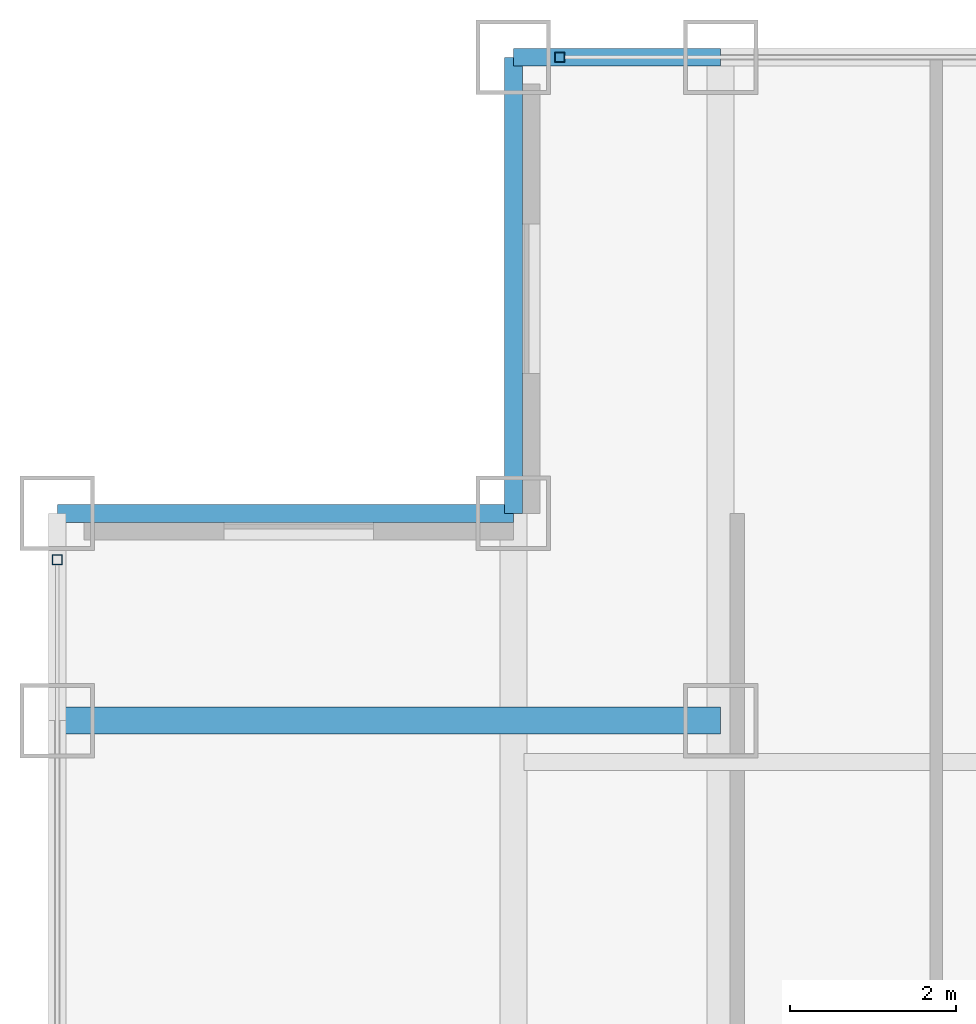
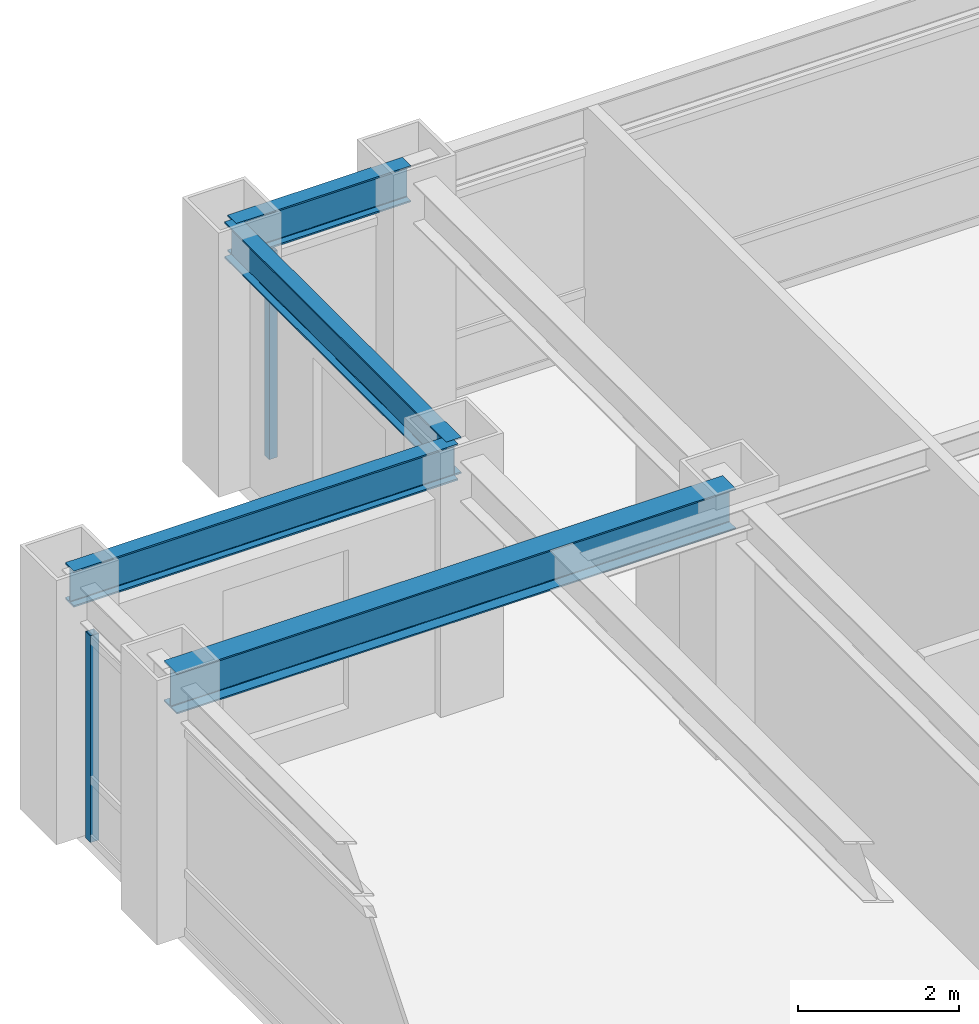
# One storey, part 12 of 22: 4 beams, 2 members, 2 elements without a shape of their own.
"""IFC4 building model written with IfcOpenShell, lengths in metres."""

from ifc_helpers import new_model, si_unit, direction, frame, origin, origin_2d, place, context, subcontext, project, spatial, hollow_rectangle, i_section, extrude, source, transform, mapped, material, material_profile, profile_set, type_object, element, aggregate, save


model = new_model("IFC4")

# Units and contexts
model_context = context("Model", 3, precision=1e-05, world=origin(), true_north=direction((0.0, 1.0)))
body_context = subcontext(model_context, "Body", "Model", "MODEL_VIEW")
ifc_project = project(units=[si_unit("LENGTHUNIT", "METRE"), si_unit("AREAUNIT", "SQUARE_METRE"), si_unit("VOLUMEUNIT", "CUBIC_METRE"), si_unit("PLANEANGLEUNIT", "RADIAN"), si_unit("MASSUNIT", "GRAM", prefix="KILO")], contexts=[model_context])

# Site, building, storey
site_placement = place(None, origin())
site = spatial("IfcSite", under=ifc_project, at=site_placement, CompositionType="ELEMENT")
building_placement = place(site_placement, origin())
building = spatial("IfcBuilding", under=site, at=building_placement, Name="Khorayat Bourse Tower", CompositionType="ELEMENT")
storey_placement = place(building_placement, frame((0.0, 0.0, 289.5)))
storey = spatial("IfcBuildingStorey", under=building, at=storey_placement, Name="L68", CompositionType="ELEMENT", Elevation=289.5)

# Beams
ifc_material_1 = material(Name="Steel ASTM A992 Grade 50", Category="steel")
ifc_material_profile_1 = material_profile(ifc_material_1, i_section(OverallWidth=0.324951171875, OverallDepth=0.615966796875, WebThickness=0.013916015625, FlangeThickness=0.021484375, FilletRadius=0.01611328125, at=origin_2d()), Name="W610X174")
ifc_profile_set_1 = profile_set([ifc_material_profile_1], Name="Steel ASTM A992 Grade 50")
beam_type_1 = type_object("IfcBeamType", Name="BM-GIRD-610", PredefinedType="BEAM", material=ifc_profile_set_1)
shared_shape_1 = source(origin(), body_context, "Body", "SweptSolid", [
    extrude(i_section(OverallWidth=0.324951171875, OverallDepth=0.615966796875, WebThickness=0.013916015625, FlangeThickness=0.021484375, FilletRadius=0.01611328125, at=origin_2d()), origin(), (0.0, 0.0, 1.0), 8.0),
])
beam_1_placement = place(storey_placement, frame((-28.0, 20.0, 3.471923828125), z_axis=(1.0, 0.0, 0.0), x_axis=(0.0, 1.0, 0.0)))
element("IfcBeam", 1, at=beam_1_placement, inside=storey, type_object=beam_type_1, Name="L68 BM-GIRD-610 BM-L68-CNRX-095", PredefinedType="BEAM", context=body_context, shape_type="MappedRepresentation", body=[
    mapped(shared_shape_1, transform((0.0, 0.0, 0.0), scale=1.0)),
])
ifc_material_profile_2 = material_profile(ifc_material_1, i_section(OverallWidth=0.214111328125, OverallDepth=0.549072265625, WebThickness=0.0146484375, FlangeThickness=0.023681640625, FilletRadius=0.013916015625, at=origin_2d()), Name="W530X138")
ifc_profile_set_2 = profile_set([ifc_material_profile_2], Name="Steel ASTM A992 Grade 50")
beam_type_2 = type_object("IfcBeamType", Name="BM-SPAN-530", PredefinedType="SPANDREL", material=ifc_profile_set_2)
shared_shape_2 = source(origin(), body_context, "Body", "SweptSolid", [
    extrude(i_section(OverallWidth=0.214111328125, OverallDepth=0.549072265625, WebThickness=0.0146484375, FlangeThickness=0.023681640625, FilletRadius=0.013916015625, at=origin_2d()), origin(), (0.0, 0.0, 1.0), 2.5),
])
beam_2_placement = place(storey_placement, frame((-22.5, 28.0, 3.505615234375), z_axis=(1.0, 0.0, 0.0), x_axis=(0.0, 1.0, 0.0)))
element("IfcBeam", 2, at=beam_2_placement, inside=storey, type_object=beam_type_2, Name="L68 BM-SPAN-530 BM-L68-SPN-051", PredefinedType="SPANDREL", context=body_context, shape_type="MappedRepresentation", body=[
    mapped(shared_shape_2, transform((0.0, 0.0, 0.0), scale=1.0)),
])
shared_shape_3 = source(origin(), body_context, "Body", "SweptSolid", [
    extrude(i_section(OverallWidth=0.214111328125, OverallDepth=0.549072265625, WebThickness=0.0146484375, FlangeThickness=0.023681640625, FilletRadius=0.013916015625, at=origin_2d()), origin(), (0.0, 0.0, 1.0), 5.5),
])
for number, where, z_axis, x_axis, name in (
    (3, (-22.5, 22.5, 3.505615234375), (0.0, 1.0, 0.0), (-1.0, 0.0, 0.0), "L68 BM-SPAN-530 BM-L68-SPN-052"),
    (4, (-28.0, 22.5, 3.505615234375), (1.0, 0.0, 0.0), (0.0, 1.0, 0.0), "L68 BM-SPAN-530 BM-L68-SPN-053"),
):
    element("IfcBeam", number, at=place(storey_placement, frame(where, z_axis=z_axis, x_axis=x_axis)), inside=storey, type_object=beam_type_2, Name=name, PredefinedType="SPANDREL", context=body_context, shape_type="MappedRepresentation", body=[
        mapped(shared_shape_3, transform((0.0, 0.0, 0.0), scale=1.0)),
    ])

# Curtain wall, member
ifc_material_2 = material(Name="Aluminium EN AW-6063 T6", Category="aluminium")
curtain_wall_type = type_object("IfcCurtainWallType", Name="CW-SYS-04", PredefinedType="NOTDEFINED", material=ifc_material_2)
curtain_wall_1_placement = place(storey_placement, origin())
curtain_wall_1 = element("IfcCurtainWall", 5, at=curtain_wall_1_placement, inside=storey, type_object=curtain_wall_type, Name="L68 Curtain Wall CW-L68-N1", PredefinedType="NOTDEFINED")
ifc_material_profile_3 = material_profile(ifc_material_2, hollow_rectangle(XDim=0.1201171875, YDim=0.1201171875, WallThickness=0.0048828125, at=origin_2d()), Name="ALU 120x120x5")
ifc_profile_set_3 = profile_set([ifc_material_profile_3], Name="Aluminium EN AW-6063 T6")
member_type = type_object("IfcMemberType", Name="CWM-VERT-120", PredefinedType="MULLION", material=ifc_profile_set_3)
shared_shape_4 = source(origin(), body_context, "Body", "SweptSolid", [
    extrude(hollow_rectangle(XDim=0.1201171875, YDim=0.1201171875, WallThickness=0.0048828125, at=origin_2d()), origin(), (0.0, 0.0, 1.0), 3.1298828125),
])
member_1_placement = place(storey_placement, frame((-21.93994140625, 28.0, 0.0), z_axis=(0.0, 0.0, 1.0), x_axis=(0.0, 1.0, 0.0)))
member_1 = element("IfcMember", 6, at=member_1_placement, type_object=member_type, Name="CW-L68-N1 Vertical Mullion 1", PredefinedType="MULLION", context=body_context, shape_type="MappedRepresentation", body=[
    mapped(shared_shape_4, transform((0.0, 0.0, 0.0), scale=1.0)),
])
aggregate(curtain_wall_1, [member_1])

curtain_wall_2_placement = place(storey_placement, origin())
curtain_wall_2 = element("IfcCurtainWall", 7, at=curtain_wall_2_placement, inside=storey, type_object=curtain_wall_type, Name="L68 Curtain Wall CW-L68-W1", PredefinedType="NOTDEFINED")
member_2_placement = place(storey_placement, frame((-28.0, 21.93994140625, 0.0), z_axis=(0.0, 0.0, 1.0), x_axis=(-1.0, 0.0, 0.0)))
member_2 = element("IfcMember", 8, at=member_2_placement, type_object=member_type, Name="CW-L68-W1 Vertical Mullion 3", PredefinedType="MULLION", context=body_context, shape_type="MappedRepresentation", body=[
    mapped(shared_shape_4, transform((0.0, 0.0, 0.0), scale=1.0)),
])
aggregate(curtain_wall_2, [member_2])

save(model, "model.ifc")
